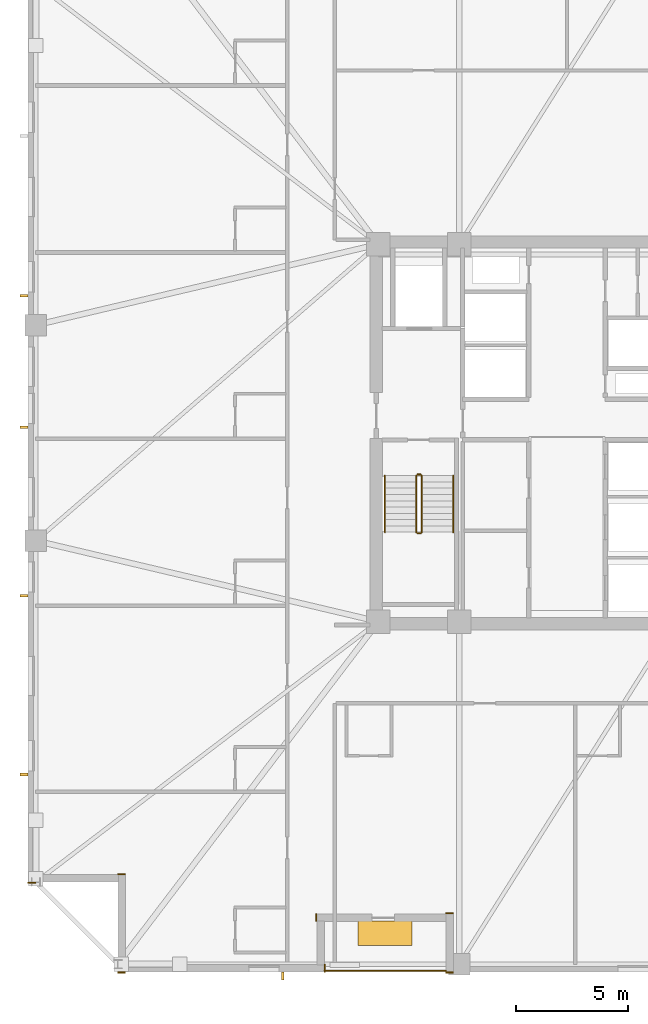
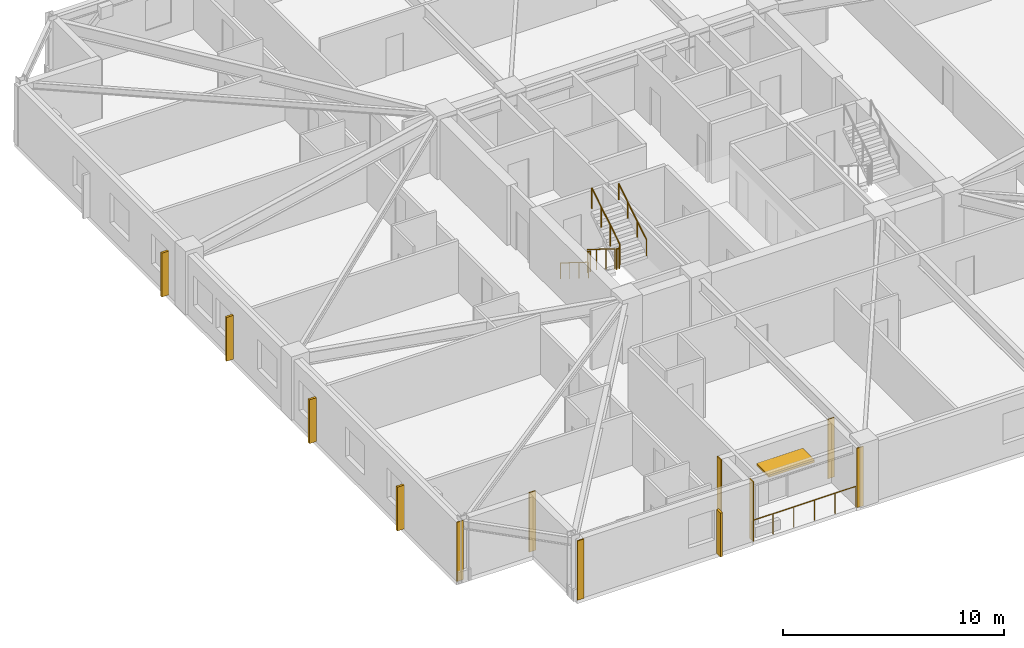
# One storey, part 7 of 11: 7 coverings, 7 railings, 6 shading devices.
"""IFC4 building model written with IfcOpenShell, lengths in metres."""

from ifc_helpers import new_model, si_unit, direction, frame, frame_2d, origin, origin_2d, place, context, subcontext, project, spatial, rectangle, circle, extrude, material, layer, layer_set, type_object, element, save


model = new_model("IFC4")

# Units and contexts
model_context = context("Model", 3, precision=1e-05, world=origin(), true_north=direction((0.0, 1.0)))
body_context = subcontext(model_context, "Body", "Model", "MODEL_VIEW")
ifc_project = project(units=[si_unit("LENGTHUNIT", "METRE"), si_unit("AREAUNIT", "SQUARE_METRE"), si_unit("VOLUMEUNIT", "CUBIC_METRE"), si_unit("PLANEANGLEUNIT", "RADIAN"), si_unit("MASSUNIT", "GRAM", prefix="KILO")], contexts=[model_context])

# Site, building, storey
site_placement = place(None, origin())
site = spatial("IfcSite", under=ifc_project, at=site_placement, CompositionType="ELEMENT")
building_placement = place(site_placement, origin())
building = spatial("IfcBuilding", under=site, at=building_placement, Name="Cairnveth Concourse Tower", CompositionType="ELEMENT")
storey_placement = place(building_placement, frame((0.0, 0.0, 148.0)))
storey = spatial("IfcBuildingStorey", under=building, at=storey_placement, Name="L40", CompositionType="ELEMENT", Elevation=148.0)

# Coverings
ifc_material_1 = material(Name="Dressed Melbourne Bluestone Cladding", Category="masonry")
ifc_layer = layer(ifc_material_1, 0.050048828125)
ifc_layer_set = layer_set([ifc_layer], Name="Dressed Melbourne Bluestone Cladding")
covering_type = type_object("IfcCoveringType", Name="DRESSED BLUESTONE PLINTH CLADDING 50", PredefinedType="CLADDING", material=ifc_layer_set)
for number, where, z_axis, x_axis, name in (
    (1, (41.219970703125, 15.340087890625, 0.0), (0.0, 0.0, 1.0), (0.0, -1.0, 0.0), "Melbourne Bluestone Corner Quoin L40-579"),
    (2, (32.340087890625, 14.97998046875, 0.0), (0.0, 0.0, 1.0), (-1.0, 0.0, 0.0), "Melbourne Bluestone Corner Quoin L40-580"),
    (3, (32.340087890625, 19.360107421875, 0.0), (0.0, 0.0, 1.0), (-1.0, 0.0, 0.0), "Melbourne Bluestone Corner Quoin L40-581"),
    (4, (28.340087890625, 18.97998046875, 0.0), (0.0, 0.0, 1.0), (-1.0, 0.0, 0.0), "Melbourne Bluestone Corner Quoin L40-582"),
):
    element("IfcCovering", number, at=place(storey_placement, frame(where, z_axis=z_axis, x_axis=x_axis)), inside=storey, type_object=covering_type, Name=name, PredefinedType="CLADDING", context=body_context, shape_type="SweptSolid", body=[
        extrude(rectangle(XDim=0.340087890625, YDim=0.050048828125, at=frame_2d((0.169921875, 0.0))), origin(), (0.0, 0.0, 1.0), 3.280029296875),
    ])
for number, where, z_axis, x_axis, name in (
    (5, (46.93994140625, 14.97998046875, 0.0), (0.0, 0.0, 1.0), (-1.0, 0.0, 0.0), "Melbourne Bluestone Corner Quoin L40-592"),
    (6, (46.93994140625, 17.610107421875, 0.0), (0.0, 0.0, 1.0), (-1.0, 0.0, 0.0), "Melbourne Bluestone Corner Quoin L40-593"),
):
    element("IfcCovering", number, at=place(storey_placement, frame(where, z_axis=z_axis, x_axis=x_axis)), inside=storey, type_object=covering_type, Name=name, PredefinedType="CLADDING", context=body_context, shape_type="SweptSolid", body=[
        extrude(rectangle(XDim=0.33984375, YDim=0.050048828125, at=frame_2d((0.169921875, 0.0))), origin(), (0.0, 0.0, 1.0), 3.280029296875),
    ])
covering_placement = place(storey_placement, frame((40.840087890625, 17.590087890625, 0.0), z_axis=(0.0, 0.0, 1.0), x_axis=(0.0, -1.0, 0.0)))
element("IfcCovering", 7, at=covering_placement, inside=storey, type_object=covering_type, Name="Melbourne Bluestone Corner Quoin L40-594", PredefinedType="CLADDING", context=body_context, shape_type="SweptSolid", body=[
    extrude(rectangle(XDim=0.340087890625, YDim=0.050048828125, at=frame_2d((0.169921875, 0.0))), origin(), (0.0, 0.0, 1.0), 3.280029296875),
])

# Shading devices
ifc_material_2 = material(Name="Architectural Bronze Anodised Aluminium 6063-T6", Category="aluminium")
shading_device_type_1 = type_object("IfcShadingDeviceType", Name="GOTHIC BRONZE VERTICAL LANCET FIN", PredefinedType="USERDEFINED", material=ifc_material_2)
for number, where, z_axis, x_axis, name in (
    (8, (39.343994140625, 14.824951171875, 0.030029296875), (0.0, 0.0, 1.0), (1.0, 0.0, 0.0), "Gothic Bronze Vertical Fin L40-0-1"),
    (9, (27.824951171875, 23.791748046875, 0.030029296875), (0.0, 0.0, 1.0), (0.0, 1.0, 0.0), "Gothic Bronze Vertical Fin L40-3-1"),
    (10, (27.824951171875, 31.748779296875, 0.030029296875), (0.0, 0.0, 1.0), (0.0, 1.0, 0.0), "Gothic Bronze Vertical Fin L40-3-3"),
    (11, (27.824951171875, 39.256103515625, 0.030029296875), (0.0, 0.0, 1.0), (0.0, 1.0, 0.0), "Gothic Bronze Vertical Fin L40-3-5"),
    (12, (27.824951171875, 45.113037109375, 0.030029296875), (0.0, 0.0, 1.0), (0.0, 1.0, 0.0), "Gothic Bronze Vertical Fin L40-3-7"),
):
    element("IfcShadingDevice", number, at=place(storey_placement, frame(where, z_axis=z_axis, x_axis=x_axis)), inside=storey, type_object=shading_device_type_1, Name=name, ObjectType="VERTICAL FIN", PredefinedType="USERDEFINED", context=body_context, shape_type="SweptSolid", body=[
        extrude(rectangle(XDim=0.1201171875, YDim=0.360107421875, at=origin_2d()), origin(), (0.0, 0.0, 1.0), 2.419921875),
    ])
shading_device_type_2 = type_object("IfcShadingDeviceType", Name="SPIRAL TERRACE SUNSHADE CANOPY", PredefinedType="USERDEFINED", material=ifc_material_2)
shading_device_placement = place(storey_placement, frame((43.89990234375, 16.72998046875, 2.300048828125), z_axis=(0.0, 0.0, 1.0), x_axis=(1.0, 0.0, 0.0)))
element("IfcShadingDevice", 13, at=shading_device_placement, inside=storey, type_object=shading_device_type_2, Name="Spiral Terrace Sunshade L40", ObjectType="TERRACE SUNSHADE", PredefinedType="USERDEFINED", context=body_context, shape_type="SweptSolid", body=[
    extrude(rectangle(XDim=2.39990234375, YDim=1.10009765625, at=origin_2d()), origin(), (0.0, 0.0, 1.0), 0.1201171875),
])

# Railings
ifc_material_3 = material(Name="Steel Grade 350", Category="steel")
railing_type_1 = type_object("IfcRailingType", Name="STAIR GUARDRAIL 1150", PredefinedType="GUARDRAIL", material=ifc_material_3)
railing_1_placement = place(storey_placement, frame((45.2900390625, 37.10009765625, 0.175048828125)))
element("IfcRailing", 14, at=railing_1_placement, inside=storey, type_object=railing_type_1, Name="L40 ST-1 stair guard 1", PredefinedType="GUARDRAIL", context=body_context, shape_type="SweptSolid", body=[
    extrude(circle(Radius=0.02392578125, at=origin_2d()), frame((0.0, 0.0, 1.1259765625), z_axis=(0.0, -0.848007534815, 0.529984170421), x_axis=(1.0, 0.0, 0.0)), (0.0, 0.0, 1.0), 2.9716796875),
    extrude(circle(Radius=0.02099609375, at=origin_2d()), origin(), (0.0, 0.0, 1.0), 1.101806640625),
    extrude(circle(Radius=0.02099609375, at=origin_2d()), frame((0.0, -0.840087890625, 0.52490234375)), (0.0, 0.0, 1.0), 1.101806640625),
    extrude(circle(Radius=0.02099609375, at=origin_2d()), frame((0.0, -1.679931640625, 1.050048828125)), (0.0, 0.0, 1.0), 1.101806640625),
    extrude(circle(Radius=0.02099609375, at=origin_2d()), frame((0.0, -2.52001953125, 1.574951171875)), (0.0, 0.0, 1.0), 1.101806640625),
])
railing_2_placement = place(storey_placement, frame((45.340087890625, 34.530029296875, 1.75)))
element("IfcRailing", 15, at=railing_2_placement, inside=storey, type_object=railing_type_1, Name="L40 ST-1 stair guard 2", PredefinedType="GUARDRAIL", context=body_context, shape_type="SweptSolid", body=[
    extrude(circle(Radius=0.02392578125, at=origin_2d()), frame((0.0, 0.0, 1.1259765625), z_axis=(1.0, 0.0, 0.0), x_axis=(0.0, 1.0, 0.0)), (0.0, 0.0, 1.0), 0.139892578125),
    extrude(circle(Radius=0.02099609375, at=origin_2d()), origin(), (0.0, 0.0, 1.0), 1.101806640625),
    extrude(circle(Radius=0.02099609375, at=origin_2d()), frame((0.139892578125, 0.0, 0.0)), (0.0, 0.0, 1.0), 1.101806640625),
])
railing_3_placement = place(storey_placement, frame((45.530029296875, 34.580078125, 1.925048828125)))
element("IfcRailing", 16, at=railing_3_placement, inside=storey, type_object=railing_type_1, Name="L40 ST-1 stair guard 3", PredefinedType="GUARDRAIL", context=body_context, shape_type="SweptSolid", body=[
    extrude(circle(Radius=0.02392578125, at=origin_2d()), frame((0.0, 0.0, 1.1259765625), z_axis=(0.0, 0.848007534815, 0.529984170421), x_axis=(-1.0, 0.0, 0.0)), (0.0, 0.0, 1.0), 2.9716796875),
    extrude(circle(Radius=0.02099609375, at=origin_2d()), origin(), (0.0, 0.0, 1.0), 1.101806640625),
    extrude(circle(Radius=0.02099609375, at=origin_2d()), frame((0.0, 0.840087890625, 0.52490234375)), (0.0, 0.0, 1.0), 1.101806640625),
    extrude(circle(Radius=0.02099609375, at=origin_2d()), frame((0.0, 1.679931640625, 1.050048828125)), (0.0, 0.0, 1.0), 1.101806640625),
    extrude(circle(Radius=0.02099609375, at=origin_2d()), frame((0.0, 2.52001953125, 1.574951171875)), (0.0, 0.0, 1.0), 1.101806640625),
])
railing_4_placement = place(storey_placement, frame((45.340087890625, 37.14990234375, 0.0)))
element("IfcRailing", 17, at=railing_4_placement, inside=storey, type_object=railing_type_1, Name="L40 ST-1 stair guard 4", PredefinedType="GUARDRAIL", context=body_context, shape_type="SweptSolid", body=[
    extrude(circle(Radius=0.02392578125, at=origin_2d()), frame((0.0, 0.0, 1.1259765625), z_axis=(1.0, 0.0, 0.0), x_axis=(0.0, 1.0, 0.0)), (0.0, 0.0, 1.0), 0.139892578125),
    extrude(circle(Radius=0.02099609375, at=origin_2d()), origin(), (0.0, 0.0, 1.0), 1.101806640625),
    extrude(circle(Radius=0.02099609375, at=origin_2d()), frame((0.139892578125, 0.0, 0.0)), (0.0, 0.0, 1.0), 1.101806640625),
])
railing_type_2 = type_object("IfcRailingType", Name="STAIR WALL HANDRAIL 900", PredefinedType="HANDRAIL", material=ifc_material_3)
railing_5_placement = place(storey_placement, frame((43.889892578125, 37.10009765625, 0.175048828125)))
element("IfcRailing", 18, at=railing_5_placement, inside=storey, type_object=railing_type_2, Name="L40 ST-1 stair handrail 1", PredefinedType="HANDRAIL", context=body_context, shape_type="SweptSolid", body=[
    extrude(circle(Radius=0.02392578125, at=origin_2d()), frame((0.0, 0.0, 0.8759765625), z_axis=(0.0, -0.848007534815, 0.529984170421), x_axis=(1.0, 0.0, 0.0)), (0.0, 0.0, 1.0), 2.9716796875),
    extrude(circle(Radius=0.02099609375, at=origin_2d()), origin(), (0.0, 0.0, 1.0), 0.851806640625),
    extrude(circle(Radius=0.02099609375, at=origin_2d()), frame((0.0, -0.840087890625, 0.52490234375)), (0.0, 0.0, 1.0), 0.851806640625),
    extrude(circle(Radius=0.02099609375, at=origin_2d()), frame((0.0, -1.679931640625, 1.050048828125)), (0.0, 0.0, 1.0), 0.851806640625),
    extrude(circle(Radius=0.02099609375, at=origin_2d()), frame((0.0, -2.52001953125, 1.574951171875)), (0.0, 0.0, 1.0), 0.851806640625),
])
railing_6_placement = place(storey_placement, frame((46.929931640625, 34.580078125, 1.925048828125)))
element("IfcRailing", 19, at=railing_6_placement, inside=storey, type_object=railing_type_2, Name="L40 ST-1 stair handrail 2", PredefinedType="HANDRAIL", context=body_context, shape_type="SweptSolid", body=[
    extrude(circle(Radius=0.02392578125, at=origin_2d()), frame((0.0, 0.0, 0.8759765625), z_axis=(0.0, 0.848007534815, 0.529984170421), x_axis=(-1.0, 0.0, 0.0)), (0.0, 0.0, 1.0), 2.9716796875),
    extrude(circle(Radius=0.02099609375, at=origin_2d()), origin(), (0.0, 0.0, 1.0), 0.851806640625),
    extrude(circle(Radius=0.02099609375, at=origin_2d()), frame((0.0, 0.840087890625, 0.52490234375)), (0.0, 0.0, 1.0), 0.851806640625),
    extrude(circle(Radius=0.02099609375, at=origin_2d()), frame((0.0, 1.679931640625, 1.050048828125)), (0.0, 0.0, 1.0), 0.851806640625),
    extrude(circle(Radius=0.02099609375, at=origin_2d()), frame((0.0, 2.52001953125, 1.574951171875)), (0.0, 0.0, 1.0), 0.851806640625),
])
railing_type_3 = type_object("IfcRailingType", Name="TERRACE BRONZE BALUSTRADE 1150", PredefinedType="BALUSTRADE", material=ifc_material_2)
railing_7_placement = place(storey_placement, frame((41.199951171875, 15.06005859375, 0.0)))
element("IfcRailing", 20, at=railing_7_placement, inside=storey, type_object=railing_type_3, Name="Terrace Balustrade RL-L40-TERR", PredefinedType="BALUSTRADE", context=body_context, shape_type="SweptSolid", body=[
    extrude(circle(Radius=0.02490234375, at=origin_2d()), frame((0.0, 0.0, 1.125), z_axis=(1.0, 0.0, 0.0), x_axis=(0.0, 1.0, 0.0)), (0.0, 0.0, 1.0), 5.400146484375),
    extrude(circle(Radius=0.02099609375, at=origin_2d()), origin(), (0.0, 0.0, 1.0), 1.099853515625),
    extrude(circle(Radius=0.02099609375, at=origin_2d()), frame((1.080078125, 0.0, 0.0)), (0.0, 0.0, 1.0), 1.099853515625),
    extrude(circle(Radius=0.02099609375, at=origin_2d()), frame((2.16015625, 0.0, 0.0)), (0.0, 0.0, 1.0), 1.099853515625),
    extrude(circle(Radius=0.02099609375, at=origin_2d()), frame((3.239990234375, 0.0, 0.0)), (0.0, 0.0, 1.0), 1.099853515625),
    extrude(circle(Radius=0.02099609375, at=origin_2d()), frame((4.320068359375, 0.0, 0.0)), (0.0, 0.0, 1.0), 1.099853515625),
    extrude(circle(Radius=0.02099609375, at=origin_2d()), frame((5.400146484375, 0.0, 0.0)), (0.0, 0.0, 1.0), 1.099853515625),
])

save(model, "model.ifc")
